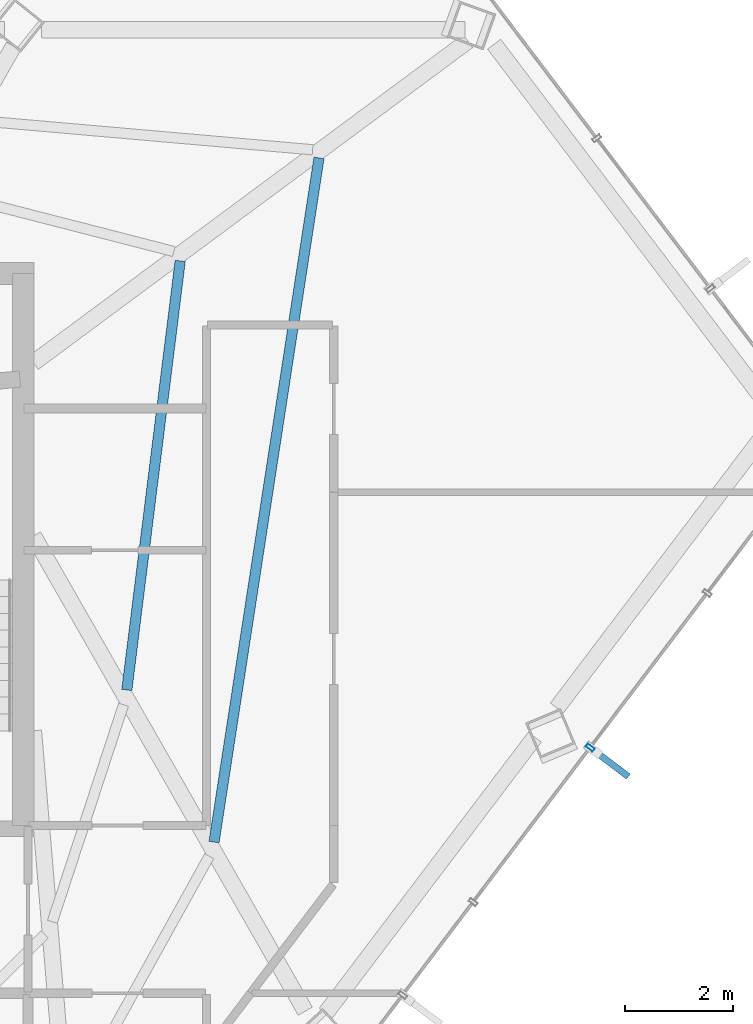
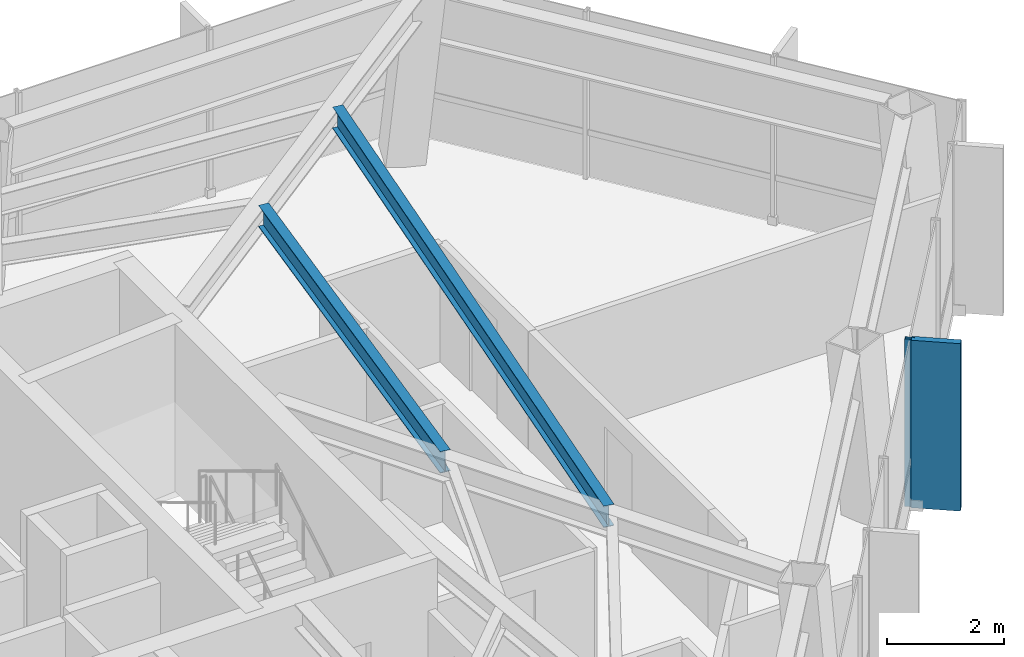
# One storey, part 19 of 27: 2 beams, 2 members, 1 element without a shape of its own.
"""IFC4 building model written with IfcOpenShell, lengths in metres."""

from ifc_helpers import new_model, si_unit, direction, frame, origin, origin_2d, place, context, subcontext, project, spatial, rectangle, hollow_rectangle, i_section, extrude, material, layer, layer_set, material_profile, profile_set, type_object, element, aggregate, save


model = new_model("IFC4")

# Units and contexts
model_context = context("Model", 3, precision=1e-05, world=origin(), true_north=direction((0.0, 1.0)))
body_context = subcontext(model_context, "Body", "Model", "MODEL_VIEW")
ifc_project = project(units=[si_unit("LENGTHUNIT", "METRE"), si_unit("AREAUNIT", "SQUARE_METRE"), si_unit("VOLUMEUNIT", "CUBIC_METRE"), si_unit("PLANEANGLEUNIT", "RADIAN"), si_unit("MASSUNIT", "GRAM", prefix="KILO")], contexts=[model_context])

# Site, building, storey
site_placement = place(None, origin())
site = spatial("IfcSite", under=ifc_project, at=site_placement, CompositionType="ELEMENT")
building_placement = place(site_placement, origin())
building = spatial("IfcBuilding", under=site, at=building_placement, Name="Zarrinselat Tower", CompositionType="ELEMENT")
storey_placement = place(building_placement, frame((0.0, 0.0, 183.260009765625)))
storey = spatial("IfcBuildingStorey", under=building, at=storey_placement, Name="L45", CompositionType="ELEMENT", Elevation=183.260009765625)

# Beams
ifc_material_1 = material(Name="Steel S355J2", Category="steel")
ifc_material_profile_1 = material_profile(ifc_material_1, i_section(OverallWidth=0.18994140625, OverallDepth=0.449951171875, WebThickness=0.009521484375, FlangeThickness=0.0146484375, at=origin_2d()), Name="IPE 450")
ifc_profile_set_1 = profile_set([ifc_material_profile_1], Name="Steel S355J2")
beam_type = type_object("IfcBeamType", Name="BM-IPE450", PredefinedType="JOIST", material=ifc_profile_set_1)
beam_1_placement = place(storey_placement, frame((51.787109375, 32.943115234375, 3.27490234375), z_axis=(0.151648394651, 0.988434501826, 0.0), x_axis=(-0.988434501826, 0.151648394651, 0.0)))
element("IfcBeam", 1, at=beam_1_placement, inside=storey, type_object=beam_type, Name="L45 Composite Floor Joist 5-1", PredefinedType="JOIST", context=body_context, shape_type="SweptSolid", body=[
    extrude(i_section(OverallWidth=0.18994140625, OverallDepth=0.449951171875, WebThickness=0.009521484375, FlangeThickness=0.0146484375, at=origin_2d()), origin(), (0.0, 0.0, 1.0), 12.790771484375),
])
beam_2_placement = place(storey_placement, frame((50.17529296875, 35.75341796875, 3.27490234375), z_axis=(0.123470631939, 0.992348226707, 0.0), x_axis=(-0.992348226707, 0.123470631939, 0.0)))
element("IfcBeam", 2, at=beam_2_placement, inside=storey, type_object=beam_type, Name="L45 Composite Floor Joist 5-2", PredefinedType="JOIST", context=body_context, shape_type="SweptSolid", body=[
    extrude(i_section(OverallWidth=0.18994140625, OverallDepth=0.449951171875, WebThickness=0.009521484375, FlangeThickness=0.0146484375, at=origin_2d()), origin(), (0.0, 0.0, 1.0), 7.990234375),
])

# Curtain wall, members
ifc_material_2 = material(Name="Extruded Aluminium Alloy EN AW-6063 T6", Category="aluminium")
ifc_layer = layer(ifc_material_2, 0.175048828125)
ifc_layer_set = layer_set([ifc_layer], Name="Extruded Aluminium Alloy EN AW-6063 T6")
curtain_wall_type = type_object("IfcCurtainWallType", Name="CWS-HTL", PredefinedType="NOTDEFINED", material=ifc_layer_set)
curtain_wall_placement = place(storey_placement, origin())
curtain_wall = element("IfcCurtainWall", 3, at=curtain_wall_placement, inside=storey, type_object=curtain_wall_type, Name="L45 Unitised Curtain Wall CW-L45-E05", PredefinedType="NOTDEFINED")
ifc_material_3 = material(Name="Extruded Aluminium Alloy EN AW-6063 T6", Category="aluminium")
ifc_material_profile_2 = material_profile(ifc_material_3, hollow_rectangle(XDim=0.070068359375, YDim=0.159912109375, WallThickness=0.00390625, at=origin_2d()), Name="RHS 160x70x4")
ifc_profile_set_2 = profile_set([ifc_material_profile_2], Name="Extruded Aluminium Alloy EN AW-6063 T6")
member_type_1 = type_object("IfcMemberType", Name="MEM-CW-MUL2", PredefinedType="MULLION", material=ifc_profile_set_2)
member_1_placement = place(storey_placement, frame((58.73779296875, 34.68798828125, 0.0), z_axis=(0.0, 0.0, 1.0), x_axis=(0.603859165965, 0.797091028478, 0.0)))
member_1 = element("IfcMember", 4, at=member_1_placement, type_object=member_type_1, Name="CW-L45-E05 Mullion 7", PredefinedType="MULLION", context=body_context, shape_type="SweptSolid", body=[
    extrude(hollow_rectangle(XDim=0.070068359375, YDim=0.159912109375, WallThickness=0.00390625, at=origin_2d()), origin(), (0.0, 0.0, 1.0), 3.5),
])
ifc_material_4 = material(Name="Honed Cream Travertine Stone", Category="masonry")
ifc_material_profile_3 = material_profile(ifc_material_4, rectangle(XDim=0.1201171875, YDim=0.85009765625, at=origin_2d()), Name="FIN 850x120")
ifc_profile_set_3 = profile_set([ifc_material_profile_3], Name="Honed Cream Travertine Stone")
member_type_2 = type_object("IfcMemberType", Name="MEM-STONE-FIN", PredefinedType="USERDEFINED", material=ifc_profile_set_3)
member_2_placement = place(storey_placement, frame((59.1044921875, 34.410400390625, 0.0), z_axis=(0.0, 0.0, 1.0), x_axis=(-0.603859165965, -0.797091028478, 0.0)))
member_2 = element("IfcMember", 5, at=member_2_placement, type_object=member_type_2, Name="L45 Stone Shading Fin CW-L45-E05-07", ObjectType="FIN", PredefinedType="USERDEFINED", context=body_context, shape_type="SweptSolid", body=[
    extrude(rectangle(XDim=0.1201171875, YDim=0.85009765625, at=origin_2d()), origin(), (0.0, 0.0, 1.0), 3.5),
])
aggregate(curtain_wall, [member_1, member_2])

save(model, "model.ifc")
